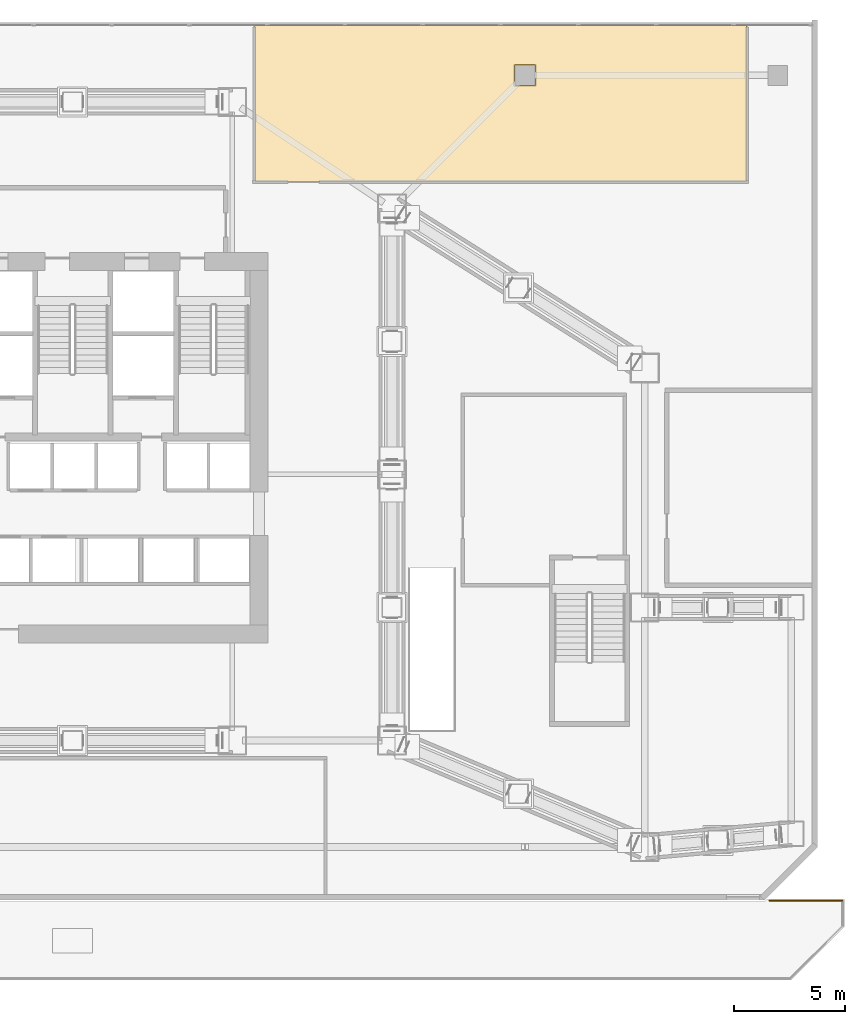
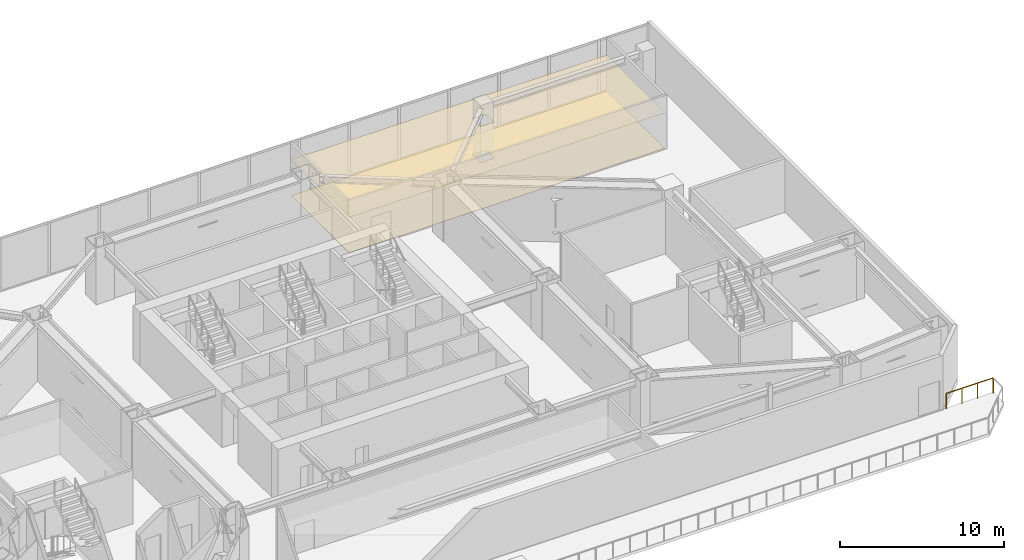
# One storey, part 39 of 39: 2 coverings, 1 railing.
"""IFC4 building model written with IfcOpenShell, lengths in metres."""

from ifc_helpers import new_model, si_unit, direction, frame, origin, origin_2d, place, context, subcontext, project, spatial, polyline, circle, outline, extrude, material, layer, layer_set, type_object, element, save


model = new_model("IFC4")

# Units and contexts
model_context = context("Model", 3, precision=1e-05, world=origin(), true_north=direction((0.0, 1.0)))
body_context = subcontext(model_context, "Body", "Model", "MODEL_VIEW")
ifc_project = project(units=[si_unit("LENGTHUNIT", "METRE"), si_unit("AREAUNIT", "SQUARE_METRE"), si_unit("VOLUMEUNIT", "CUBIC_METRE"), si_unit("PLANEANGLEUNIT", "RADIAN"), si_unit("MASSUNIT", "GRAM", prefix="KILO")], contexts=[model_context])

# Site, building, storey
site_placement = place(None, origin())
site = spatial("IfcSite", under=ifc_project, at=site_placement, CompositionType="ELEMENT")
building_placement = place(site_placement, origin())
building = spatial("IfcBuilding", under=site, at=building_placement, Name="Haolan Belvedere Tower", CompositionType="ELEMENT")
storey_placement = place(building_placement, frame((0.0, 0.0, 19.800048828125)))
storey = spatial("IfcBuildingStorey", under=building, at=storey_placement, Name="L04", CompositionType="ELEMENT", Elevation=19.800048828125)

# Coverings
ifc_material_1 = material(Name="Acoustic mineral-fibre suspended ceiling system", Category="masonry")
ifc_layer_1 = layer(ifc_material_1, 0.02490234375, Name="Acoustic mineral-fibre suspended ceiling system")
ifc_layer_set_1 = layer_set([ifc_layer_1], Name="Acoustic mineral-fibre suspended ceiling system")
covering_type_1 = type_object("IfcCoveringType", Name="COV-CEIL-AC25", PredefinedType="CEILING", material=ifc_layer_set_1)
covering_1_placement = place(storey_placement, frame((0.0, 0.0, 2.64990234375)))
element("IfcCovering", 1, at=covering_1_placement, inside=storey, type_object=covering_type_1, Name="L04 suspended acoustic ceiling L04-POOL.2", PredefinedType="CEILING", context=body_context, shape_type="SweptSolid", body=[
    extrude(outline(polyline([(68.81201171875, 46.7880859375), (68.81201171875, 53.862060546875), (46.587890625, 53.862060546875), (46.587890625, 46.7880859375), (68.81201171875, 46.7880859375)]), holes=[polyline([(58.3349609375, 51.135009765625), (58.3349609375, 52.06494140625), (59.264892578125, 52.06494140625), (59.264892578125, 51.135009765625), (58.3349609375, 51.135009765625)])]), origin(), (0.0, 0.0, 1.0), 0.025146484375),
])
ifc_material_2 = material(Name="Honed terrazzo and natural granite stone flooring", Category="masonry")
ifc_layer_2 = layer(ifc_material_2, 0.014892578125, Name="Honed terrazzo and natural granite stone flooring")
ifc_layer_set_2 = layer_set([ifc_layer_2], Name="Honed terrazzo and natural granite stone flooring")
covering_type_2 = type_object("IfcCoveringType", Name="COV-FLR-STN30", PredefinedType="FLOORING", material=ifc_layer_set_2)
covering_2_placement = place(storey_placement, origin())
element("IfcCovering", 2, at=covering_2_placement, inside=storey, type_object=covering_type_2, Name="L04 polished stone floor finish L04-POOL.2", PredefinedType="FLOORING", context=body_context, shape_type="SweptSolid", body=[
    extrude(outline(polyline([(68.787109375, 53.8369140625), (46.613037109375, 53.8369140625), (46.613037109375, 46.81298828125), (68.787109375, 46.81298828125), (68.787109375, 53.8369140625)]), holes=[polyline([(58.31005859375, 52.090087890625), (59.2900390625, 52.090087890625), (59.2900390625, 51.110107421875), (58.31005859375, 51.110107421875), (58.31005859375, 52.090087890625)])]), origin(), (0.0, 0.0, 1.0), 0.014892578125),
])

# Railing
ifc_material_3 = material(Name="Anodised aluminium and laminated glass balustrade", Category="aluminium")
railing_type = type_object("IfcRailingType", Name="RL-TER-BAL-1150", PredefinedType="BALUSTRADE", material=ifc_material_3)
railing_placement = place(storey_placement, frame((69.82470703125, 14.3701171875, 0.0)))
element("IfcRailing", 3, at=railing_placement, inside=storey, type_object=railing_type, Name="L04 outdoor perimeter balustrade TERR-L04-1-2", PredefinedType="BALUSTRADE", context=body_context, shape_type="SweptSolid", body=[
    extrude(circle(Radius=0.02392578125, at=origin_2d()), frame((0.0, 0.0, 1.1259765625), z_axis=(1.0, 0.0, 0.0), x_axis=(0.0, 1.0, 0.0)), (0.0, 0.0, 1.0), 3.29541015625),
    extrude(circle(Radius=0.02099609375, at=origin_2d()), origin(), (0.0, 0.0, 1.0), 1.101806640625),
    extrude(circle(Radius=0.02099609375, at=origin_2d()), frame((1.098388671875, 0.0, 0.0)), (0.0, 0.0, 1.0), 1.101806640625),
    extrude(circle(Radius=0.02099609375, at=origin_2d()), frame((2.197021484375, 0.0, 0.0)), (0.0, 0.0, 1.0), 1.101806640625),
    extrude(circle(Radius=0.02099609375, at=origin_2d()), frame((3.29541015625, 0.0, 0.0)), (0.0, 0.0, 1.0), 1.101806640625),
])

save(model, "model.ifc")
